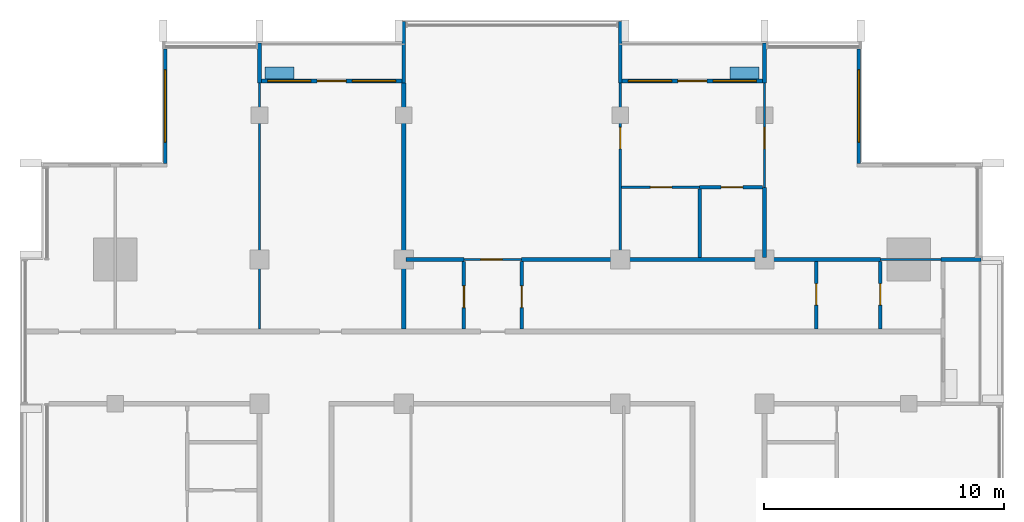
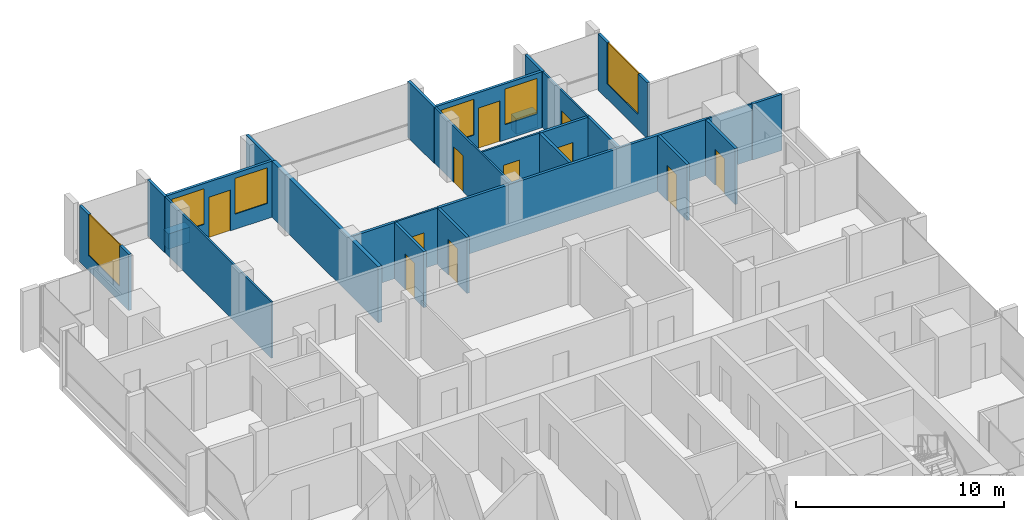
# One storey, part 10 of 16: 27 walls, 11 doors, 6 windows, 17 openings.
"""IFC4 building model written with IfcOpenShell, lengths in metres."""

from ifc_helpers import new_model, si_unit, direction, frame, frame_2d, origin, place, context, subcontext, project, spatial, rectangle, extrude, material, layer, layer_set, type_object, element, fill, save


model = new_model("IFC4")

# Units and contexts
model_context = context("Model", 3, precision=1e-05, world=origin(), true_north=direction((0.0, 1.0)))
body_context = subcontext(model_context, "Body", "Model", "MODEL_VIEW")
ifc_project = project(units=[si_unit("LENGTHUNIT", "METRE"), si_unit("AREAUNIT", "SQUARE_METRE"), si_unit("VOLUMEUNIT", "CUBIC_METRE"), si_unit("PLANEANGLEUNIT", "RADIAN"), si_unit("MASSUNIT", "GRAM", prefix="KILO")], contexts=[model_context])

# Site, building, storey
site_placement = place(None, origin())
site = spatial("IfcSite", under=ifc_project, at=site_placement, CompositionType="ELEMENT")
building_placement = place(site_placement, origin())
building = spatial("IfcBuilding", under=site, at=building_placement, Name="Finial Court Residences", CompositionType="ELEMENT")
storey_placement = place(building_placement, frame((0.0, 0.0, 259.10009765625)))
storey = spatial("IfcBuildingStorey", under=building, at=storey_placement, Name="L65", CompositionType="ELEMENT", Elevation=259.10009765625)

# Wall
ifc_material_1 = material(Name="Gypsum board")
ifc_layer_1 = layer(ifc_material_1, 0.02490234375)
ifc_material_2 = material(Name="Acoustic mineral wool in double frame")
ifc_layer_2 = layer(ifc_material_2, 0.14990234375)
ifc_layer_3 = layer(ifc_material_1, 0.02490234375)
ifc_layer_set_1 = layer_set([ifc_layer_1, ifc_layer_2, ifc_layer_3], Name="Corridor wall 200, 1 hour")
wall_type_1 = type_object("IfcWallType", Name="Corridor wall 200, 1 hour", PredefinedType="PARTITIONING", material=ifc_layer_set_1)
wall_1_placement = place(storey_placement, frame((-4.5, 4.60009765625, 0.0), z_axis=(0.0, 0.0, 1.0), x_axis=(0.0, 1.0, 0.0)))
element("IfcWall", 1, at=wall_1_placement, inside=storey, type_object=wall_type_1, Name="Partition L65-030", PredefinedType="PARTITIONING", context=body_context, shape_type="SweptSolid", body=[
    extrude(rectangle(XDim=10.25, YDim=0.199951171875, at=frame_2d((5.125, 0.0))), origin(), (0.0, 0.0, 1.0), 3.2998046875),
])

# Wall, opening, door
ifc_layer_4 = layer(ifc_material_1, 0.012451171875)
ifc_material_3 = material(Name="Mineral wool in light-gauge frame")
ifc_layer_5 = layer(ifc_material_3, 0.074951171875)
ifc_layer_6 = layer(ifc_material_1, 0.012451171875)
ifc_layer_set_2 = layer_set([ifc_layer_4, ifc_layer_5, ifc_layer_6], Name="Gypsum board partition 100")
wall_type_2 = type_object("IfcWallType", Name="Gypsum board partition 100", PredefinedType="PARTITIONING", material=ifc_layer_set_2)
wall_2_placement = place(storey_placement, frame((-2.0, 7.5, 0.0), z_axis=(0.0, 0.0, 1.0), x_axis=(1.0, 0.0, 0.0)))
wall_2 = element("IfcWall", 2, at=wall_2_placement, inside=storey, type_object=wall_type_2, Name="Partition L65-017", PredefinedType="PARTITIONING", context=body_context, shape_type="SweptSolid", body=[
    extrude(rectangle(XDim=2.39990234375, YDim=0.10009765625, at=frame_2d((1.199951171875, 0.0))), origin(), (0.0, 0.0, 1.0), 3.2998046875),
])
opening_1_placement = place(wall_2_placement, frame((0.699951171875, 0.0, 0.0)))
opening_1 = element("IfcOpeningElement", 3, at=opening_1_placement, cuts=wall_2, Name="Opening L65-D020", PredefinedType="OPENING", context=body_context, shape_type="SweptSolid", body=[
    extrude(rectangle(XDim=0.89990234375, YDim=2.10009765625, at=frame_2d((0.449951171875, 1.050048828125))), frame((0.0, 0.06005859375, 0.0), z_axis=(0.0, -1.0, 0.0), x_axis=(1.0, 0.0, 0.0)), (0.0, 0.0, 1.0), 0.1201171875),
])
ifc_material_4 = material(Name="Timber door leaf in timber frame", Category="wood")
door_type_1 = type_object("IfcDoorType", Name="Door set 900 x 2100", OperationType="SINGLE_SWING_LEFT", PredefinedType="DOOR", material=ifc_material_4)
door_1_placement = place(opening_1_placement, origin())
door_1 = element("IfcDoor", 4, at=door_1_placement, inside=storey, type_object=door_type_1, Name="Door L65-D020", OperationType="SINGLE_SWING_RIGHT", OverallHeight=2.10009765625, OverallWidth=0.89990234375, PredefinedType="DOOR", context=body_context, shape_type="SweptSolid", body=[
    extrude(rectangle(XDim=0.89990234375, YDim=2.10009765625, at=frame_2d((0.449951171875, 1.050048828125))), frame((0.0, 0.02490234375, 0.0), z_axis=(0.0, -1.0, 0.0), x_axis=(1.0, 0.0, 0.0)), (0.0, 0.0, 1.0), 0.050048828125),
])
fill(opening_1, door_1)

# Wall
wall_3_placement = place(storey_placement, frame((15.31689453125, 7.5, 0.0), z_axis=(0.0, 0.0, 1.0), x_axis=(1.0, 0.0, 0.0)))
element("IfcWall", 5, at=wall_3_placement, inside=storey, type_object=wall_type_2, Name="Partition L65-018", PredefinedType="PARTITIONING", context=body_context, shape_type="SweptSolid", body=[
    extrude(rectangle(XDim=2.533203125, YDim=0.10009765625, at=frame_2d((1.2666015625, 0.0))), origin(), (0.0, 0.0, 1.0), 3.2998046875),
])

# Wall, opening, door
wall_4_placement = place(storey_placement, frame((4.550048828125, 10.5, 0.0), z_axis=(0.0, 0.0, 1.0), x_axis=(1.0, 0.0, 0.0)))
wall_4 = element("IfcWall", 6, at=wall_4_placement, inside=storey, type_object=wall_type_2, Name="Partition L65-021", PredefinedType="PARTITIONING", context=body_context, shape_type="SweptSolid", body=[
    extrude(rectangle(XDim=3.25, YDim=0.10009765625, at=frame_2d((1.625, 0.0))), origin(), (0.0, 0.0, 1.0), 3.2998046875),
])
opening_2_placement = place(wall_4_placement, frame((1.199951171875, 0.0, 0.0)))
opening_2 = element("IfcOpeningElement", 7, at=opening_2_placement, cuts=wall_4, Name="Opening L65-D021", PredefinedType="OPENING", context=body_context, shape_type="SweptSolid", body=[
    extrude(rectangle(XDim=0.89990234375, YDim=2.10009765625, at=frame_2d((0.449951171875, 1.050048828125))), frame((0.0, 0.06005859375, 0.0), z_axis=(0.0, -1.0, 0.0), x_axis=(1.0, 0.0, 0.0)), (0.0, 0.0, 1.0), 0.1201171875),
])
door_2_placement = place(opening_2_placement, origin())
door_2 = element("IfcDoor", 8, at=door_2_placement, inside=storey, type_object=door_type_1, Name="Door L65-D021", OperationType="SINGLE_SWING_LEFT", OverallHeight=2.10009765625, OverallWidth=0.89990234375, PredefinedType="DOOR", context=body_context, shape_type="SweptSolid", body=[
    extrude(rectangle(XDim=0.89990234375, YDim=2.10009765625, at=frame_2d((0.449951171875, 1.050048828125))), frame((0.0, 0.02490234375, 0.0), z_axis=(0.0, -1.0, 0.0), x_axis=(1.0, 0.0, 0.0)), (0.0, 0.0, 1.0), 0.050048828125),
])
fill(opening_2, door_2)

# Wall
wall_5_placement = place(storey_placement, frame((-10.5, 4.60009765625, 0.0), z_axis=(0.0, 0.0, 1.0), x_axis=(0.0, 1.0, 0.0)))
element("IfcWall", 9, at=wall_5_placement, inside=storey, type_object=wall_type_2, Name="Partition L65-028", PredefinedType="PARTITIONING", context=body_context, shape_type="SweptSolid", body=[
    extrude(rectangle(XDim=10.25, YDim=0.10009765625, at=frame_2d((5.125, 0.0))), origin(), (0.0, 0.0, 1.0), 3.2998046875),
])

# Wall, opening, door
wall_6_placement = place(storey_placement, frame((4.5, 7.574951171875, 0.0), z_axis=(0.0, 0.0, 1.0), x_axis=(0.0, 1.0, 0.0)))
wall_6 = element("IfcWall", 10, at=wall_6_placement, inside=storey, type_object=wall_type_2, Name="Partition L65-034", PredefinedType="PARTITIONING", context=body_context, shape_type="SweptSolid", body=[
    extrude(rectangle(XDim=7.275146484375, YDim=0.10009765625, at=frame_2d((3.6376953125, 0.0))), origin(), (0.0, 0.0, 1.0), 3.2998046875),
])
opening_3_placement = place(wall_6_placement, frame((4.52490234375, 0.0, 0.0)))
opening_3 = element("IfcOpeningElement", 11, at=opening_3_placement, cuts=wall_6, Name="Opening L65-D027", PredefinedType="OPENING", context=body_context, shape_type="SweptSolid", body=[
    extrude(rectangle(XDim=0.89990234375, YDim=2.10009765625, at=frame_2d((0.449951171875, 1.050048828125))), frame((0.0, 0.06005859375, 0.0), z_axis=(0.0, -1.0, 0.0), x_axis=(1.0, 0.0, 0.0)), (0.0, 0.0, 1.0), 0.1201171875),
])
door_3_placement = place(opening_3_placement, origin())
door_3 = element("IfcDoor", 12, at=door_3_placement, inside=storey, type_object=door_type_1, Name="Door L65-D027", OperationType="SINGLE_SWING_RIGHT", OverallHeight=2.10009765625, OverallWidth=0.89990234375, PredefinedType="DOOR", context=body_context, shape_type="SweptSolid", body=[
    extrude(rectangle(XDim=0.89990234375, YDim=2.10009765625, at=frame_2d((0.449951171875, 1.050048828125))), frame((0.0, 0.02490234375, 0.0), z_axis=(0.0, -1.0, 0.0), x_axis=(1.0, 0.0, 0.0)), (0.0, 0.0, 1.0), 0.050048828125),
])
fill(opening_3, door_3)

wall_7_placement = place(storey_placement, frame((10.5, 10.5, 0.0), z_axis=(0.0, 0.0, 1.0), x_axis=(0.0, 1.0, 0.0)))
wall_7 = element("IfcWall", 13, at=wall_7_placement, inside=storey, type_object=wall_type_2, Name="Partition L65-039", PredefinedType="PARTITIONING", context=body_context, shape_type="SweptSolid", body=[
    extrude(rectangle(XDim=4.35009765625, YDim=0.10009765625, at=frame_2d((2.175048828125, 0.0))), origin(), (0.0, 0.0, 1.0), 3.2998046875),
])
opening_4_placement = place(wall_7_placement, frame((1.60009765625, 0.0, 0.0)))
opening_4 = element("IfcOpeningElement", 14, at=opening_4_placement, cuts=wall_7, Name="Opening L65-D028", PredefinedType="OPENING", context=body_context, shape_type="SweptSolid", body=[
    extrude(rectangle(XDim=0.89990234375, YDim=2.10009765625, at=frame_2d((0.449951171875, 1.050048828125))), frame((0.0, 0.06005859375, 0.0), z_axis=(0.0, -1.0, 0.0), x_axis=(1.0, 0.0, 0.0)), (0.0, 0.0, 1.0), 0.1201171875),
])
door_4_placement = place(opening_4_placement, origin())
door_4 = element("IfcDoor", 15, at=door_4_placement, inside=storey, type_object=door_type_1, Name="Door L65-D028", OperationType="SINGLE_SWING_RIGHT", OverallHeight=2.10009765625, OverallWidth=0.89990234375, PredefinedType="DOOR", context=body_context, shape_type="SweptSolid", body=[
    extrude(rectangle(XDim=0.89990234375, YDim=2.10009765625, at=frame_2d((0.449951171875, 1.050048828125))), frame((0.0, 0.02490234375, 0.0), z_axis=(0.0, -1.0, 0.0), x_axis=(1.0, 0.0, 0.0)), (0.0, 0.0, 1.0), 0.050048828125),
])
fill(opening_4, door_4)

# Walls
ifc_material_5 = material(Name="Moisture-resistant gypsum board")
ifc_layer_7 = layer(ifc_material_5, 0.012451171875)
ifc_layer_8 = layer(ifc_material_3, 0.125)
ifc_layer_9 = layer(ifc_material_5, 0.012451171875)
ifc_layer_set_3 = layer_set([ifc_layer_7, ifc_layer_8, ifc_layer_9], Name="Gypsum board wet-area partition 150")
wall_type_3 = type_object("IfcWallType", Name="Gypsum board wet-area partition 150", PredefinedType="PARTITIONING", material=ifc_layer_set_3)
wall_8_placement = place(storey_placement, frame((-4.39990234375, 7.5, 0.0), z_axis=(0.0, 0.0, 1.0), x_axis=(1.0, 0.0, 0.0)))
element("IfcWall", 16, at=wall_8_placement, inside=storey, type_object=wall_type_3, Name="Partition L65-019", PredefinedType="PARTITIONING", context=body_context, shape_type="SweptSolid", body=[
    extrude(rectangle(XDim=2.39990234375, YDim=0.14990234375, at=frame_2d((1.199951171875, 0.0))), origin(), (0.0, 0.0, 1.0), 3.2998046875),
])
wall_9_placement = place(storey_placement, frame((0.39990234375, 7.5, 0.0), z_axis=(0.0, 0.0, 1.0), x_axis=(1.0, 0.0, 0.0)))
element("IfcWall", 17, at=wall_9_placement, inside=storey, type_object=wall_type_3, Name="Partition L65-020", PredefinedType="PARTITIONING", context=body_context, shape_type="SweptSolid", body=[
    extrude(rectangle(XDim=14.9169921875, YDim=0.14990234375, at=frame_2d((7.45849609375, 0.0))), origin(), (0.0, 0.0, 1.0), 3.2998046875),
])

# Wall, opening, door
wall_10_placement = place(storey_placement, frame((7.800048828125, 10.5, 0.0), z_axis=(0.0, 0.0, 1.0), x_axis=(1.0, 0.0, 0.0)))
wall_10 = element("IfcWall", 18, at=wall_10_placement, inside=storey, type_object=wall_type_3, Name="Partition L65-022", PredefinedType="PARTITIONING", context=body_context, shape_type="SweptSolid", body=[
    extrude(rectangle(XDim=2.625, YDim=0.14990234375, at=frame_2d((1.3125, 0.0))), origin(), (0.0, 0.0, 1.0), 3.2998046875),
])
opening_5_placement = place(wall_10_placement, frame((0.89990234375, 0.0, 0.0)))
opening_5 = element("IfcOpeningElement", 19, at=opening_5_placement, cuts=wall_10, Name="Opening L65-D022", PredefinedType="OPENING", context=body_context, shape_type="SweptSolid", body=[
    extrude(rectangle(XDim=0.89990234375, YDim=2.10009765625, at=frame_2d((0.449951171875, 1.050048828125))), frame((0.0, 0.0849609375, 0.0), z_axis=(0.0, -1.0, 0.0), x_axis=(1.0, 0.0, 0.0)), (0.0, 0.0, 1.0), 0.169921875),
])
door_5_placement = place(opening_5_placement, origin())
door_5 = element("IfcDoor", 20, at=door_5_placement, inside=storey, type_object=door_type_1, Name="Door L65-D022", OperationType="SINGLE_SWING_RIGHT", OverallHeight=2.10009765625, OverallWidth=0.89990234375, PredefinedType="DOOR", context=body_context, shape_type="SweptSolid", body=[
    extrude(rectangle(XDim=0.89990234375, YDim=2.10009765625, at=frame_2d((0.449951171875, 1.050048828125))), frame((0.0, 0.02490234375, 0.0), z_axis=(0.0, -1.0, 0.0), x_axis=(1.0, 0.0, 0.0)), (0.0, 0.0, 1.0), 0.050048828125),
])
fill(opening_5, door_5)

wall_11_placement = place(storey_placement, frame((-2.0, 4.60009765625, 0.0), z_axis=(0.0, 0.0, 1.0), x_axis=(0.0, 1.0, 0.0)))
wall_11 = element("IfcWall", 21, at=wall_11_placement, inside=storey, type_object=wall_type_3, Name="Partition L65-032", PredefinedType="PARTITIONING", context=body_context, shape_type="SweptSolid", body=[
    extrude(rectangle(XDim=2.824951171875, YDim=0.14990234375, at=frame_2d((1.41259765625, 0.0))), origin(), (0.0, 0.0, 1.0), 3.2998046875),
])
opening_6_placement = place(wall_11_placement, frame((0.89990234375, 0.0, 0.0)))
opening_6 = element("IfcOpeningElement", 22, at=opening_6_placement, cuts=wall_11, Name="Opening L65-D025", PredefinedType="OPENING", context=body_context, shape_type="SweptSolid", body=[
    extrude(rectangle(XDim=0.89990234375, YDim=2.10009765625, at=frame_2d((0.449951171875, 1.050048828125))), frame((0.0, 0.0849609375, 0.0), z_axis=(0.0, -1.0, 0.0), x_axis=(1.0, 0.0, 0.0)), (0.0, 0.0, 1.0), 0.169921875),
])
door_6_placement = place(opening_6_placement, origin())
door_6 = element("IfcDoor", 23, at=door_6_placement, inside=storey, type_object=door_type_1, Name="Door L65-D025", OperationType="SINGLE_SWING_RIGHT", OverallHeight=2.10009765625, OverallWidth=0.89990234375, PredefinedType="DOOR", context=body_context, shape_type="SweptSolid", body=[
    extrude(rectangle(XDim=0.89990234375, YDim=2.10009765625, at=frame_2d((0.449951171875, 1.050048828125))), frame((0.0, 0.02490234375, 0.0), z_axis=(0.0, -1.0, 0.0), x_axis=(1.0, 0.0, 0.0)), (0.0, 0.0, 1.0), 0.050048828125),
])
fill(opening_6, door_6)

wall_12_placement = place(storey_placement, frame((0.39990234375, 4.60009765625, 0.0), z_axis=(0.0, 0.0, 1.0), x_axis=(0.0, 1.0, 0.0)))
wall_12 = element("IfcWall", 24, at=wall_12_placement, inside=storey, type_object=wall_type_3, Name="Partition L65-033", PredefinedType="PARTITIONING", context=body_context, shape_type="SweptSolid", body=[
    extrude(rectangle(XDim=2.824951171875, YDim=0.14990234375, at=frame_2d((1.41259765625, 0.0))), origin(), (0.0, 0.0, 1.0), 3.2998046875),
])
opening_7_placement = place(wall_12_placement, frame((0.89990234375, 0.0, 0.0)))
opening_7 = element("IfcOpeningElement", 25, at=opening_7_placement, cuts=wall_12, Name="Opening L65-D026", PredefinedType="OPENING", context=body_context, shape_type="SweptSolid", body=[
    extrude(rectangle(XDim=0.89990234375, YDim=2.10009765625, at=frame_2d((0.449951171875, 1.050048828125))), frame((0.0, 0.0849609375, 0.0), z_axis=(0.0, -1.0, 0.0), x_axis=(1.0, 0.0, 0.0)), (0.0, 0.0, 1.0), 0.169921875),
])
door_7_placement = place(opening_7_placement, origin())
door_7 = element("IfcDoor", 26, at=door_7_placement, inside=storey, type_object=door_type_1, Name="Door L65-D026", OperationType="SINGLE_SWING_LEFT", OverallHeight=2.10009765625, OverallWidth=0.89990234375, PredefinedType="DOOR", context=body_context, shape_type="SweptSolid", body=[
    extrude(rectangle(XDim=0.89990234375, YDim=2.10009765625, at=frame_2d((0.449951171875, 1.050048828125))), frame((0.0, 0.02490234375, 0.0), z_axis=(0.0, -1.0, 0.0), x_axis=(1.0, 0.0, 0.0)), (0.0, 0.0, 1.0), 0.050048828125),
])
fill(opening_7, door_7)

# Walls
wall_13_placement = place(storey_placement, frame((7.800048828125, 7.574951171875, 0.0), z_axis=(0.0, 0.0, 1.0), x_axis=(0.0, 1.0, 0.0)))
element("IfcWall", 27, at=wall_13_placement, inside=storey, type_object=wall_type_3, Name="Partition L65-037", PredefinedType="PARTITIONING", context=body_context, shape_type="SweptSolid", body=[
    extrude(rectangle(XDim=2.85009765625, YDim=0.14990234375, at=frame_2d((1.425048828125, 0.0))), origin(), (0.0, 0.0, 1.0), 3.2998046875),
])
wall_14_placement = place(storey_placement, frame((10.5, 7.574951171875, 0.0), z_axis=(0.0, 0.0, 1.0), x_axis=(0.0, 1.0, 0.0)))
element("IfcWall", 28, at=wall_14_placement, inside=storey, type_object=wall_type_3, Name="Partition L65-040", PredefinedType="PARTITIONING", context=body_context, shape_type="SweptSolid", body=[
    extrude(rectangle(XDim=2.925048828125, YDim=0.14990234375, at=frame_2d((1.46240234375, 0.0))), origin(), (0.0, 0.0, 1.0), 3.2998046875),
])

# Wall, opening, door
wall_15_placement = place(storey_placement, frame((12.64990234375, 4.60009765625, 0.0), z_axis=(0.0, 0.0, 1.0), x_axis=(0.0, 1.0, 0.0)))
wall_15 = element("IfcWall", 29, at=wall_15_placement, inside=storey, type_object=wall_type_3, Name="Partition L65-041", PredefinedType="PARTITIONING", context=body_context, shape_type="SweptSolid", body=[
    extrude(rectangle(XDim=2.824951171875, YDim=0.14990234375, at=frame_2d((1.41259765625, 0.0))), origin(), (0.0, 0.0, 1.0), 3.2998046875),
])
opening_8_placement = place(wall_15_placement, frame((1.0, 0.0, 0.0)))
opening_8 = element("IfcOpeningElement", 30, at=opening_8_placement, cuts=wall_15, Name="Opening L65-D029", PredefinedType="OPENING", context=body_context, shape_type="SweptSolid", body=[
    extrude(rectangle(XDim=0.89990234375, YDim=2.10009765625, at=frame_2d((0.449951171875, 1.050048828125))), frame((0.0, 0.0849609375, 0.0), z_axis=(0.0, -1.0, 0.0), x_axis=(1.0, 0.0, 0.0)), (0.0, 0.0, 1.0), 0.169921875),
])
door_8_placement = place(opening_8_placement, origin())
door_8 = element("IfcDoor", 31, at=door_8_placement, inside=storey, type_object=door_type_1, Name="Door L65-D029", OperationType="SINGLE_SWING_LEFT", OverallHeight=2.10009765625, OverallWidth=0.89990234375, PredefinedType="DOOR", context=body_context, shape_type="SweptSolid", body=[
    extrude(rectangle(XDim=0.89990234375, YDim=2.10009765625, at=frame_2d((0.449951171875, 1.050048828125))), frame((0.0, 0.02490234375, 0.0), z_axis=(0.0, -1.0, 0.0), x_axis=(1.0, 0.0, 0.0)), (0.0, 0.0, 1.0), 0.050048828125),
])
fill(opening_8, door_8)

wall_16_placement = place(storey_placement, frame((15.31689453125, 4.60009765625, 0.0), z_axis=(0.0, 0.0, 1.0), x_axis=(0.0, 1.0, 0.0)))
wall_16 = element("IfcWall", 32, at=wall_16_placement, inside=storey, type_object=wall_type_3, Name="Partition L65-044", PredefinedType="PARTITIONING", context=body_context, shape_type="SweptSolid", body=[
    extrude(rectangle(XDim=2.824951171875, YDim=0.14990234375, at=frame_2d((1.41259765625, 0.0))), origin(), (0.0, 0.0, 1.0), 3.2998046875),
])
opening_9_placement = place(wall_16_placement, frame((1.0, 0.0, 0.0)))
opening_9 = element("IfcOpeningElement", 33, at=opening_9_placement, cuts=wall_16, Name="Opening L65-D032", PredefinedType="OPENING", context=body_context, shape_type="SweptSolid", body=[
    extrude(rectangle(XDim=0.89990234375, YDim=2.10009765625, at=frame_2d((0.449951171875, 1.050048828125))), frame((0.0, 0.0849609375, 0.0), z_axis=(0.0, -1.0, 0.0), x_axis=(1.0, 0.0, 0.0)), (0.0, 0.0, 1.0), 0.169921875),
])
door_9_placement = place(opening_9_placement, origin())
door_9 = element("IfcDoor", 34, at=door_9_placement, inside=storey, type_object=door_type_1, Name="Door L65-D032", OperationType="SINGLE_SWING_LEFT", OverallHeight=2.10009765625, OverallWidth=0.89990234375, PredefinedType="DOOR", context=body_context, shape_type="SweptSolid", body=[
    extrude(rectangle(XDim=0.89990234375, YDim=2.10009765625, at=frame_2d((0.449951171875, 1.050048828125))), frame((0.0, 0.02490234375, 0.0), z_axis=(0.0, -1.0, 0.0), x_axis=(1.0, 0.0, 0.0)), (0.0, 0.0, 1.0), 0.050048828125),
])
fill(opening_9, door_9)

# Wall, opening, window
ifc_material_6 = material(Name="Natural limestone", Category="masonry")
ifc_layer_10 = layer(ifc_material_6, 0.14990234375)
ifc_layer_set_4 = layer_set([ifc_layer_10], Name="Limestone clad wall 150")
wall_type_4 = type_object("IfcWallType", Name="Limestone clad wall 150", PredefinedType="SOLIDWALL", material=ifc_layer_set_4)
wall_17_placement = place(storey_placement, frame((-14.425048828125, 11.5, 0.0), z_axis=(0.0, 0.0, 1.0), x_axis=(0.0, 1.0, 0.0)))
wall_17 = element("IfcWall", 35, at=wall_17_placement, inside=storey, type_object=wall_type_4, Name="E-L65-NWW16", PredefinedType="SOLIDWALL", context=body_context, shape_type="SweptSolid", body=[
    extrude(rectangle(XDim=4.762451171875, YDim=0.14990234375, at=frame_2d((2.38134765625, 0.0))), origin(), (0.0, 0.0, 1.0), 3.2998046875),
])
opening_10_placement = place(wall_17_placement, frame((0.881103515625, 0.0, 0.89990234375)))
opening_10 = element("IfcOpeningElement", 36, at=opening_10_placement, cuts=wall_17, Name="Opening WE65-05", PredefinedType="OPENING", context=body_context, shape_type="SweptSolid", body=[
    extrude(rectangle(XDim=3.0, YDim=2.39990234375, at=frame_2d((1.5, 1.199951171875))), frame((0.0, 0.0849609375, 0.0), z_axis=(0.0, -1.0, 0.0), x_axis=(1.0, 0.0, 0.0)), (0.0, 0.0, 1.0), 0.169921875),
])
ifc_material_7 = material(Name="Clear low-e glass", Category="glass")
window_type_1 = type_object("IfcWindowType", Name="Corner window 3000 x 2400", PartitioningType="SINGLE_PANEL", PredefinedType="WINDOW", material=ifc_material_7)
window_1_placement = place(opening_10_placement, origin())
window_1 = element("IfcWindow", 37, at=window_1_placement, inside=storey, type_object=window_type_1, Name="E-L65-NWW16-W1", OverallHeight=2.39990234375, OverallWidth=3.0, PartitioningType="SINGLE_PANEL", PredefinedType="WINDOW", context=body_context, shape_type="SweptSolid", body=[
    extrude(rectangle(XDim=3.0, YDim=2.39990234375, at=frame_2d((1.5, 1.199951171875))), frame((0.0, 0.030029296875, 0.0), z_axis=(0.0, -1.0, 0.0), x_axis=(1.0, 0.0, 0.0)), (0.0, 0.0, 1.0), 0.06005859375),
])
fill(opening_10, window_1)

wall_18_placement = place(storey_placement, frame((14.425048828125, 16.262451171875, 0.0), z_axis=(0.0, 0.0, 1.0), x_axis=(0.0, -1.0, 0.0)))
wall_18 = element("IfcWall", 38, at=wall_18_placement, inside=storey, type_object=wall_type_4, Name="E-L65-NWE18", PredefinedType="SOLIDWALL", context=body_context, shape_type="SweptSolid", body=[
    extrude(rectangle(XDim=4.762451171875, YDim=0.14990234375, at=frame_2d((2.38134765625, 0.0))), origin(), (0.0, 0.0, 1.0), 3.2998046875),
])
opening_11_placement = place(wall_18_placement, frame((0.881103515625, 0.0, 0.89990234375)))
opening_11 = element("IfcOpeningElement", 39, at=opening_11_placement, cuts=wall_18, Name="Opening WE65-08", PredefinedType="OPENING", context=body_context, shape_type="SweptSolid", body=[
    extrude(rectangle(XDim=3.0, YDim=2.39990234375, at=frame_2d((1.5, 1.199951171875))), frame((0.0, 0.0849609375, 0.0), z_axis=(0.0, -1.0, 0.0), x_axis=(1.0, 0.0, 0.0)), (0.0, 0.0, 1.0), 0.169921875),
])
window_2_placement = place(opening_11_placement, origin())
window_2 = element("IfcWindow", 40, at=window_2_placement, inside=storey, type_object=window_type_1, Name="E-L65-NWE18-W1", OverallHeight=2.39990234375, OverallWidth=3.0, PartitioningType="SINGLE_PANEL", PredefinedType="WINDOW", context=body_context, shape_type="SweptSolid", body=[
    extrude(rectangle(XDim=3.0, YDim=2.39990234375, at=frame_2d((1.5, 1.199951171875))), frame((0.0, 0.030029296875, 0.0), z_axis=(0.0, -1.0, 0.0), x_axis=(1.0, 0.0, 0.0)), (0.0, 0.0, 1.0), 0.06005859375),
])
fill(opening_11, window_2)

# Walls
wall_19_placement = place(storey_placement, frame((-10.5, 14.85009765625, 0.0), z_axis=(0.0, 0.0, 1.0), x_axis=(0.0, 1.0, 0.0)))
element("IfcWall", 41, at=wall_19_placement, inside=storey, type_object=wall_type_4, Name="E-L65-BALN2-P1", PredefinedType="SOLIDWALL", context=body_context, shape_type="SweptSolid", body=[
    extrude(rectangle(XDim=1.64990234375, YDim=0.14990234375, at=frame_2d((0.824951171875, 0.0))), origin(), (0.0, 0.0, 1.0), 3.2998046875),
])
wall_20_placement = place(storey_placement, frame((-4.5, 14.85009765625, 0.0), z_axis=(0.0, 0.0, 1.0), x_axis=(0.0, 1.0, 0.0)))
element("IfcWall", 42, at=wall_20_placement, inside=storey, type_object=wall_type_4, Name="E-L65-BALN2-P2", PredefinedType="SOLIDWALL", context=body_context, shape_type="SweptSolid", body=[
    extrude(rectangle(XDim=2.5498046875, YDim=0.14990234375, at=frame_2d((1.27490234375, 0.0))), origin(), (0.0, 0.0, 1.0), 3.2998046875),
])

# Wall, openings, door, windows
wall_21_placement = place(storey_placement, frame((-10.425048828125, 14.925048828125, 0.0), z_axis=(0.0, 0.0, 1.0), x_axis=(1.0, 0.0, 0.0)))
wall_21 = element("IfcWall", 43, at=wall_21_placement, inside=storey, type_object=wall_type_4, Name="E-L65-L65-BALN2-W", PredefinedType="SOLIDWALL", context=body_context, shape_type="SweptSolid", body=[
    extrude(rectangle(XDim=5.85009765625, YDim=0.14990234375, at=frame_2d((2.925048828125, 0.0))), origin(), (0.0, 0.0, 1.0), 3.2998046875),
])
opening_12_placement = place(wall_21_placement, frame((2.324951171875, 0.0, 0.0)))
opening_12 = element("IfcOpeningElement", 44, at=opening_12_placement, cuts=wall_21, Name="Opening DE65-01", PredefinedType="OPENING", context=body_context, shape_type="SweptSolid", body=[
    extrude(rectangle(XDim=1.199951171875, YDim=2.39990234375, at=frame_2d((0.60009765625, 1.199951171875))), frame((0.0, 0.0849609375, 0.0), z_axis=(0.0, -1.0, 0.0), x_axis=(1.0, 0.0, 0.0)), (0.0, 0.0, 1.0), 0.169921875),
])
opening_13_placement = place(wall_21_placement, frame((0.262451171875, 0.0, 0.89990234375)))
opening_13 = element("IfcOpeningElement", 45, at=opening_13_placement, cuts=wall_21, Name="Opening WE65-10", PredefinedType="OPENING", context=body_context, shape_type="SweptSolid", body=[
    extrude(rectangle(XDim=1.800048828125, YDim=2.10009765625, at=frame_2d((0.89990234375, 1.050048828125))), frame((0.0, 0.0849609375, 0.0), z_axis=(0.0, -1.0, 0.0), x_axis=(1.0, 0.0, 0.0)), (0.0, 0.0, 1.0), 0.169921875),
])
opening_14_placement = place(wall_21_placement, frame((3.78759765625, 0.0, 0.89990234375)))
opening_14 = element("IfcOpeningElement", 46, at=opening_14_placement, cuts=wall_21, Name="Opening WE65-11", PredefinedType="OPENING", context=body_context, shape_type="SweptSolid", body=[
    extrude(rectangle(XDim=1.800048828125, YDim=2.10009765625, at=frame_2d((0.89990234375, 1.050048828125))), frame((0.0, 0.0849609375, 0.0), z_axis=(0.0, -1.0, 0.0), x_axis=(1.0, 0.0, 0.0)), (0.0, 0.0, 1.0), 0.169921875),
])
ifc_material_8 = material(Name="Bronze anodised aluminium", Category="aluminium")
door_type_2 = type_object("IfcDoorType", Name="Balcony door 1200 x 2400", OperationType="SINGLE_SWING_LEFT", PredefinedType="DOOR", material=ifc_material_8)
door_10_placement = place(opening_12_placement, origin())
door_10 = element("IfcDoor", 47, at=door_10_placement, inside=storey, type_object=door_type_2, Name="E-L65-L65-BALN2-W-D", OperationType="SINGLE_SWING_RIGHT", OverallHeight=2.39990234375, OverallWidth=1.199951171875, PredefinedType="DOOR", context=body_context, shape_type="SweptSolid", body=[
    extrude(rectangle(XDim=1.199951171875, YDim=2.39990234375, at=frame_2d((0.60009765625, 1.199951171875))), frame((0.0, 0.02490234375, 0.0), z_axis=(0.0, -1.0, 0.0), x_axis=(1.0, 0.0, 0.0)), (0.0, 0.0, 1.0), 0.050048828125),
])
fill(opening_12, door_10)
window_type_2 = type_object("IfcWindowType", Name="Balcony window 1800 x 2100", PartitioningType="SINGLE_PANEL", PredefinedType="WINDOW", material=ifc_material_7)
window_3_placement = place(opening_13_placement, origin())
window_3 = element("IfcWindow", 48, at=window_3_placement, inside=storey, type_object=window_type_2, Name="E-L65-L65-BALN2-W-W1", OverallHeight=2.10009765625, OverallWidth=1.800048828125, PartitioningType="SINGLE_PANEL", PredefinedType="WINDOW", context=body_context, shape_type="SweptSolid", body=[
    extrude(rectangle(XDim=1.800048828125, YDim=2.10009765625, at=frame_2d((0.89990234375, 1.050048828125))), frame((0.0, 0.030029296875, 0.0), z_axis=(0.0, -1.0, 0.0), x_axis=(1.0, 0.0, 0.0)), (0.0, 0.0, 1.0), 0.06005859375),
])
fill(opening_13, window_3)
window_4_placement = place(opening_14_placement, origin())
window_4 = element("IfcWindow", 49, at=window_4_placement, inside=storey, type_object=window_type_2, Name="E-L65-L65-BALN2-W-W2", OverallHeight=2.10009765625, OverallWidth=1.800048828125, PartitioningType="SINGLE_PANEL", PredefinedType="WINDOW", context=body_context, shape_type="SweptSolid", body=[
    extrude(rectangle(XDim=1.800048828125, YDim=2.10009765625, at=frame_2d((0.89990234375, 1.050048828125))), frame((0.0, 0.030029296875, 0.0), z_axis=(0.0, -1.0, 0.0), x_axis=(1.0, 0.0, 0.0)), (0.0, 0.0, 1.0), 0.06005859375),
])
fill(opening_14, window_4)

# Walls
wall_22_placement = place(storey_placement, frame((4.5, 14.85009765625, 0.0), z_axis=(0.0, 0.0, 1.0), x_axis=(0.0, 1.0, 0.0)))
element("IfcWall", 50, at=wall_22_placement, inside=storey, type_object=wall_type_4, Name="E-L65-BALN4-P1", PredefinedType="SOLIDWALL", context=body_context, shape_type="SweptSolid", body=[
    extrude(rectangle(XDim=2.5498046875, YDim=0.14990234375, at=frame_2d((1.27490234375, 0.0))), origin(), (0.0, 0.0, 1.0), 3.2998046875),
])
wall_23_placement = place(storey_placement, frame((10.5, 14.85009765625, 0.0), z_axis=(0.0, 0.0, 1.0), x_axis=(0.0, 1.0, 0.0)))
element("IfcWall", 51, at=wall_23_placement, inside=storey, type_object=wall_type_4, Name="E-L65-BALN4-P2", PredefinedType="SOLIDWALL", context=body_context, shape_type="SweptSolid", body=[
    extrude(rectangle(XDim=1.64990234375, YDim=0.14990234375, at=frame_2d((0.824951171875, 0.0))), origin(), (0.0, 0.0, 1.0), 3.2998046875),
])

# Wall, openings, door, windows
wall_24_placement = place(storey_placement, frame((4.574951171875, 14.925048828125, 0.0), z_axis=(0.0, 0.0, 1.0), x_axis=(1.0, 0.0, 0.0)))
wall_24 = element("IfcWall", 52, at=wall_24_placement, inside=storey, type_object=wall_type_4, Name="E-L65-L65-BALN4-W", PredefinedType="SOLIDWALL", context=body_context, shape_type="SweptSolid", body=[
    extrude(rectangle(XDim=5.85009765625, YDim=0.14990234375, at=frame_2d((2.925048828125, 0.0))), origin(), (0.0, 0.0, 1.0), 3.2998046875),
])
opening_15_placement = place(wall_24_placement, frame((2.324951171875, 0.0, 0.0)))
opening_15 = element("IfcOpeningElement", 53, at=opening_15_placement, cuts=wall_24, Name="Opening DE65-02", PredefinedType="OPENING", context=body_context, shape_type="SweptSolid", body=[
    extrude(rectangle(XDim=1.199951171875, YDim=2.39990234375, at=frame_2d((0.60009765625, 1.199951171875))), frame((0.0, 0.0849609375, 0.0), z_axis=(0.0, -1.0, 0.0), x_axis=(1.0, 0.0, 0.0)), (0.0, 0.0, 1.0), 0.169921875),
])
opening_16_placement = place(wall_24_placement, frame((0.262451171875, 0.0, 0.89990234375)))
opening_16 = element("IfcOpeningElement", 54, at=opening_16_placement, cuts=wall_24, Name="Opening WE65-12", PredefinedType="OPENING", context=body_context, shape_type="SweptSolid", body=[
    extrude(rectangle(XDim=1.800048828125, YDim=2.10009765625, at=frame_2d((0.89990234375, 1.050048828125))), frame((0.0, 0.0849609375, 0.0), z_axis=(0.0, -1.0, 0.0), x_axis=(1.0, 0.0, 0.0)), (0.0, 0.0, 1.0), 0.169921875),
])
opening_17_placement = place(wall_24_placement, frame((3.78759765625, 0.0, 0.89990234375)))
opening_17 = element("IfcOpeningElement", 55, at=opening_17_placement, cuts=wall_24, Name="Opening WE65-13", PredefinedType="OPENING", context=body_context, shape_type="SweptSolid", body=[
    extrude(rectangle(XDim=1.800048828125, YDim=2.10009765625, at=frame_2d((0.89990234375, 1.050048828125))), frame((0.0, 0.0849609375, 0.0), z_axis=(0.0, -1.0, 0.0), x_axis=(1.0, 0.0, 0.0)), (0.0, 0.0, 1.0), 0.169921875),
])
door_11_placement = place(opening_15_placement, origin())
door_11 = element("IfcDoor", 56, at=door_11_placement, inside=storey, type_object=door_type_2, Name="E-L65-L65-BALN4-W-D", OperationType="SINGLE_SWING_LEFT", OverallHeight=2.39990234375, OverallWidth=1.199951171875, PredefinedType="DOOR", context=body_context, shape_type="SweptSolid", body=[
    extrude(rectangle(XDim=1.199951171875, YDim=2.39990234375, at=frame_2d((0.60009765625, 1.199951171875))), frame((0.0, 0.02490234375, 0.0), z_axis=(0.0, -1.0, 0.0), x_axis=(1.0, 0.0, 0.0)), (0.0, 0.0, 1.0), 0.050048828125),
])
fill(opening_15, door_11)
window_5_placement = place(opening_16_placement, origin())
window_5 = element("IfcWindow", 57, at=window_5_placement, inside=storey, type_object=window_type_2, Name="E-L65-L65-BALN4-W-W1", OverallHeight=2.10009765625, OverallWidth=1.800048828125, PartitioningType="SINGLE_PANEL", PredefinedType="WINDOW", context=body_context, shape_type="SweptSolid", body=[
    extrude(rectangle(XDim=1.800048828125, YDim=2.10009765625, at=frame_2d((0.89990234375, 1.050048828125))), frame((0.0, 0.030029296875, 0.0), z_axis=(0.0, -1.0, 0.0), x_axis=(1.0, 0.0, 0.0)), (0.0, 0.0, 1.0), 0.06005859375),
])
fill(opening_16, window_5)
window_6_placement = place(opening_17_placement, origin())
window_6 = element("IfcWindow", 58, at=window_6_placement, inside=storey, type_object=window_type_2, Name="E-L65-L65-BALN4-W-W2", OverallHeight=2.10009765625, OverallWidth=1.800048828125, PartitioningType="SINGLE_PANEL", PredefinedType="WINDOW", context=body_context, shape_type="SweptSolid", body=[
    extrude(rectangle(XDim=1.800048828125, YDim=2.10009765625, at=frame_2d((0.89990234375, 1.050048828125))), frame((0.0, 0.030029296875, 0.0), z_axis=(0.0, -1.0, 0.0), x_axis=(1.0, 0.0, 0.0)), (0.0, 0.0, 1.0), 0.06005859375),
])
fill(opening_17, window_6)

# Walls
wall_25_placement = place(storey_placement, frame((17.85009765625, 7.5, 0.0), z_axis=(0.0, 0.0, 1.0), x_axis=(1.0, 0.0, 0.0)))
element("IfcWall", 59, at=wall_25_placement, inside=storey, type_object=wall_type_4, Name="E-L65-BALE4-P2", PredefinedType="SOLIDWALL", context=body_context, shape_type="SweptSolid", body=[
    extrude(rectangle(XDim=1.64990234375, YDim=0.14990234375, at=frame_2d((0.824951171875, 0.0))), origin(), (0.0, 0.0, 1.0), 3.2998046875),
])
ifc_material_9 = material(Name="Concrete C40/50", Category="concrete")
ifc_layer_11 = layer(ifc_material_9, 0.10009765625)
ifc_material_10 = material(Name="Planting soil", Category="soil")
ifc_layer_12 = layer(ifc_material_10, 0.300048828125)
ifc_layer_13 = layer(ifc_material_9, 0.10009765625)
ifc_layer_set_5 = layer_set([ifc_layer_11, ifc_layer_12, ifc_layer_13], Name="Planter wall, balcony")
wall_type_5 = type_object("IfcWallType", Name="Planter wall, balcony", PredefinedType="USERDEFINED", material=ifc_layer_set_5)
for number, where, z_axis, x_axis, name in (
    (60, (-10.27490234375, 15.25, 0.0), (0.0, 0.0, 1.0), (1.0, 0.0, 0.0), "E-L65-BALN2-PL"),
    (61, (9.074951171875, 15.25, 0.0), (0.0, 0.0, 1.0), (1.0, 0.0, 0.0), "E-L65-BALN4-PL"),
):
    element("IfcWall", number, at=place(storey_placement, frame(where, z_axis=z_axis, x_axis=x_axis)), inside=storey, type_object=wall_type_5, Name=name, ObjectType="PLANTER", PredefinedType="USERDEFINED", context=body_context, shape_type="SweptSolid", body=[
        extrude(rectangle(XDim=1.199951171875, YDim=0.5, at=frame_2d((0.60009765625, 0.0))), origin(), (0.0, 0.0, 1.0), 0.89990234375),
    ])

save(model, "model.ifc")
